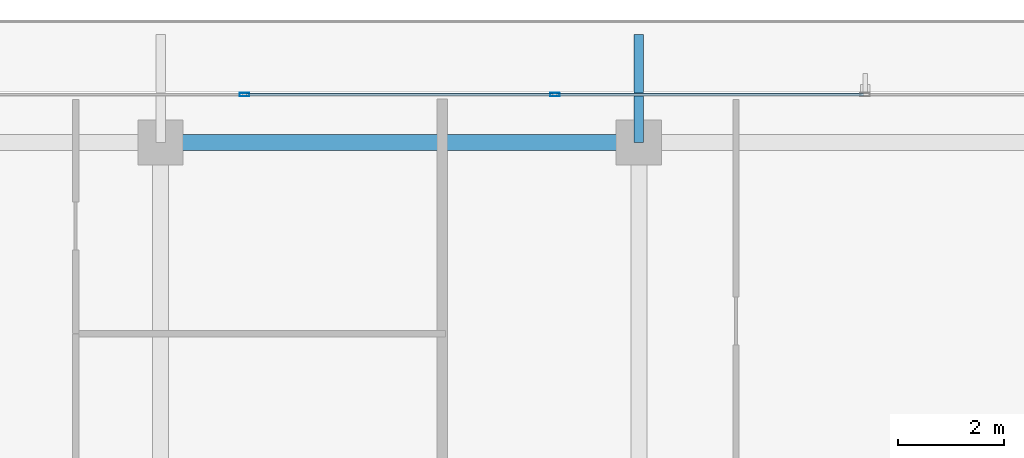
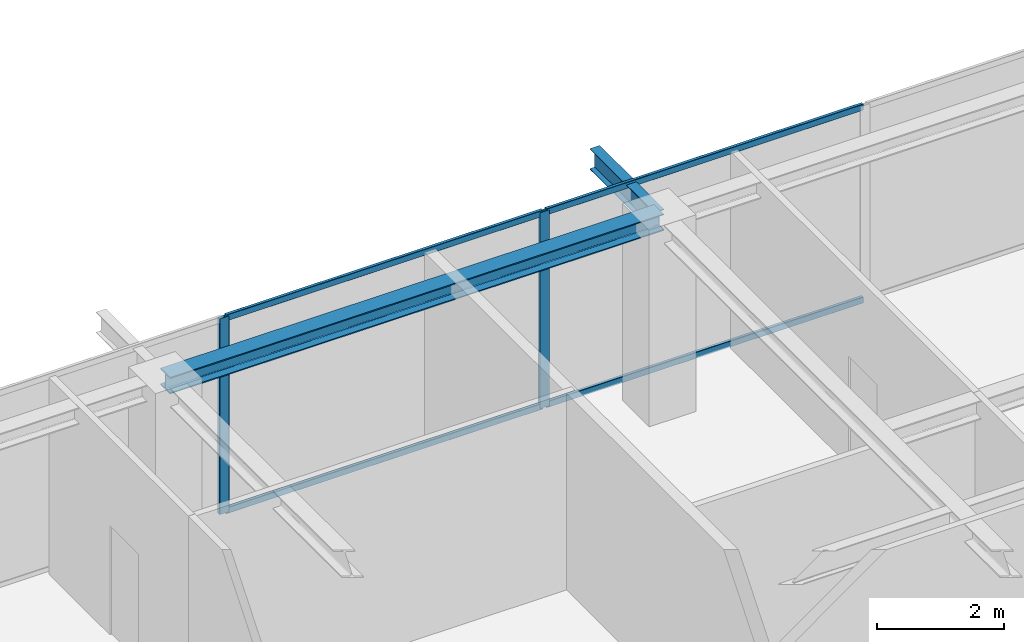
# One storey, part 20 of 36: 6 members, 2 beams, 1 element without a shape of its own.
"""IFC4 building model written with IfcOpenShell, lengths in metres."""

from ifc_helpers import new_model, si_unit, direction, frame, origin, origin_2d, place, context, subcontext, project, spatial, hollow_rectangle, i_section, extrude, source, transform, mapped, material, layer, layer_set, material_profile, profile_set, type_object, element, aggregate, save


model = new_model("IFC4")

# Units and contexts
model_context = context("Model", 3, precision=1e-05, world=origin(), true_north=direction((0.0, 1.0)))
body_context = subcontext(model_context, "Body", "Model", "MODEL_VIEW")
ifc_project = project(units=[si_unit("LENGTHUNIT", "METRE"), si_unit("AREAUNIT", "SQUARE_METRE"), si_unit("VOLUMEUNIT", "CUBIC_METRE"), si_unit("PLANEANGLEUNIT", "RADIAN"), si_unit("MASSUNIT", "GRAM", prefix="KILO")], contexts=[model_context])

# Site, building, storey
site_placement = place(None, origin())
site = spatial("IfcSite", under=ifc_project, at=site_placement, CompositionType="ELEMENT")
building_placement = place(site_placement, origin())
building = spatial("IfcBuilding", under=site, at=building_placement, Name="Serunith Strait Residences", CompositionType="ELEMENT")
storey_placement = place(building_placement, frame((0.0, 0.0, 338.0)))
storey = spatial("IfcBuildingStorey", under=building, at=storey_placement, Name="L84", CompositionType="ELEMENT", Elevation=338.0)

# Beams
ifc_material_1 = material(Name="Steel S355J2", Category="steel")
ifc_material_profile_1 = material_profile(ifc_material_1, i_section(OverallWidth=0.300048828125, OverallDepth=0.320068359375, WebThickness=0.011474609375, FlangeThickness=0.0205078125, FilletRadius=0.027099609375, at=origin_2d()), Name="HEB 320")
ifc_profile_set_1 = profile_set([ifc_material_profile_1], Name="Steel S355J2")
beam_type_1 = type_object("IfcBeamType", Name="BM-HEB320", PredefinedType="BEAM", material=ifc_profile_set_1)
shared_shape_1 = source(origin(), body_context, "Body", "SweptSolid", [
    extrude(i_section(OverallWidth=0.300048828125, OverallDepth=0.320068359375, WebThickness=0.011474609375, FlangeThickness=0.0205078125, FilletRadius=0.027099609375, at=origin_2d()), origin(), (0.0, 0.0, 1.0), 9.0),
])
beam_1_placement = place(storey_placement, frame((36.89990234375, 45.5, 3.626953125), z_axis=(-1.0, 0.0, 0.0), x_axis=(0.0, -1.0, 0.0)))
element("IfcBeam", 1, at=beam_1_placement, inside=storey, type_object=beam_type_1, Name="L84 Perimeter Ring Beam 10", PredefinedType="BEAM", context=body_context, shape_type="MappedRepresentation", body=[
    mapped(shared_shape_1, transform((0.0, 0.0, 0.0), scale=1.0)),
])
ifc_material_profile_2 = material_profile(ifc_material_1, i_section(OverallWidth=0.179931640625, OverallDepth=0.39990234375, WebThickness=0.008544921875, FlangeThickness=0.013427734375, FilletRadius=0.02099609375, at=origin_2d()), Name="IPE 400")
ifc_profile_set_2 = profile_set([ifc_material_profile_2], Name="Steel S355J2")
beam_type_2 = type_object("IfcBeamType", Name="BM-IPE400", PredefinedType="JOIST", material=ifc_profile_set_2)
shared_shape_2 = source(origin(), body_context, "Body", "SweptSolid", [
    extrude(i_section(OverallWidth=0.179931640625, OverallDepth=0.39990234375, WebThickness=0.008544921875, FlangeThickness=0.013427734375, FilletRadius=0.02099609375, at=origin_2d()), origin(), (0.0, 0.0, 1.0), 2.030029296875),
])
beam_2_placement = place(storey_placement, frame((36.89990234375, 45.5, 3.556884765625), z_axis=(0.0, 1.0, 0.0), x_axis=(-1.0, 0.0, 0.0)))
element("IfcBeam", 2, at=beam_2_placement, inside=storey, type_object=beam_type_2, Name="L85 Cantilevered Balcony Rib TC-N3", PredefinedType="JOIST", context=body_context, shape_type="MappedRepresentation", body=[
    mapped(shared_shape_2, transform((0.0, 0.0, 0.0), scale=1.0)),
])

# Curtain wall, members
ifc_material_2 = material(Name="Brushed Stainless-Silver Aluminium", Category="aluminium")
ifc_layer = layer(ifc_material_2, 0.199951171875, Name="Brushed Stainless-Silver Aluminium")
ifc_layer_set = layer_set([ifc_layer], Name="Brushed Stainless-Silver Aluminium")
curtain_wall_type = type_object("IfcCurtainWallType", Name="CW-SYS5", PredefinedType="NOTDEFINED", material=ifc_layer_set)
curtain_wall_placement = place(storey_placement, origin())
curtain_wall = element("IfcCurtainWall", 3, at=curtain_wall_placement, inside=storey, type_object=curtain_wall_type, Name="L84 N Unitised Fritted Curtain Wall", PredefinedType="NOTDEFINED")
ifc_material_profile_3 = material_profile(ifc_material_2, hollow_rectangle(XDim=0.06494140625, YDim=0.179931640625, WallThickness=0.00341796875, InnerFilletRadius=0.00537109375, OuterFilletRadius=0.0087890625, at=origin_2d()), Name="ALU 180x65x3.5")
ifc_profile_set_3 = profile_set([ifc_material_profile_3], Name="Brushed Stainless-Silver Aluminium")
member_type_1 = type_object("IfcMemberType", Name="CW-SYS5-MULL", PredefinedType="MULLION", material=ifc_profile_set_3)
shared_shape_3 = source(origin(), body_context, "Body", "SweptSolid", [
    extrude(hollow_rectangle(XDim=0.06494140625, YDim=0.179931640625, WallThickness=0.00341796875, InnerFilletRadius=0.00537109375, OuterFilletRadius=0.0087890625, at=origin_2d()), origin(), (0.0, 0.0, 1.0), 3.77490234375),
])
member_1_placement = place(storey_placement, frame((35.320068359375, 46.39990234375, 0.0), z_axis=(0.0, 0.0, 1.0), x_axis=(0.0, -1.0, 0.0)))
member_1 = element("IfcMember", 4, at=member_1_placement, type_object=member_type_1, Name="CW-5 mullion 3", PredefinedType="MULLION", context=body_context, shape_type="MappedRepresentation", body=[
    mapped(shared_shape_3, transform((0.0, 0.0, 0.0), scale=1.0)),
])
member_2_placement = place(storey_placement, frame((29.47998046875, 46.39990234375, 0.0), z_axis=(0.0, 0.0, 1.0), x_axis=(0.0, -1.0, 0.0)))
member_2 = element("IfcMember", 5, at=member_2_placement, type_object=member_type_1, Name="CW-5 mullion 4", PredefinedType="MULLION", context=body_context, shape_type="MappedRepresentation", body=[
    mapped(shared_shape_3, transform((0.0, 0.0, 0.0), scale=1.0)),
])
ifc_material_profile_4 = material_profile(ifc_material_2, hollow_rectangle(XDim=0.06005859375, YDim=0.1201171875, WallThickness=0.00341796875, InnerFilletRadius=0.00537109375, OuterFilletRadius=0.0087890625, at=origin_2d()), Name="ALU 120x60x3.5")
ifc_profile_set_4 = profile_set([ifc_material_profile_4], Name="Brushed Stainless-Silver Aluminium")
member_type_2 = type_object("IfcMemberType", Name="CW-SYS5-TRAN", PredefinedType="USERDEFINED", material=ifc_profile_set_4)
shared_shape_4 = source(origin(), body_context, "Body", "SweptSolid", [
    extrude(hollow_rectangle(XDim=0.06005859375, YDim=0.1201171875, WallThickness=0.00341796875, InnerFilletRadius=0.00537109375, OuterFilletRadius=0.0087890625, at=origin_2d()), origin(), (0.0, 0.0, 1.0), 5.77490234375),
])
member_3_placement = place(storey_placement, frame((41.12744140625, 46.39990234375, 0.030029296875), z_axis=(-1.0, 0.0, 0.0), x_axis=(0.0, -1.0, 0.0)))
member_3 = element("IfcMember", 6, at=member_3_placement, type_object=member_type_2, Name="CW-5 transom 2.1", ObjectType="TRANSOM", PredefinedType="USERDEFINED", context=body_context, shape_type="MappedRepresentation", body=[
    mapped(shared_shape_4, transform((0.0, 0.0, 0.0), scale=1.0)),
])
member_4_placement = place(storey_placement, frame((41.12744140625, 46.39990234375, 3.7451171875), z_axis=(-1.0, 0.0, 0.0), x_axis=(0.0, -1.0, 0.0)))
member_4 = element("IfcMember", 7, at=member_4_placement, type_object=member_type_2, Name="CW-5 transom 2.2", ObjectType="TRANSOM", PredefinedType="USERDEFINED", context=body_context, shape_type="MappedRepresentation", body=[
    mapped(shared_shape_4, transform((0.0, 0.0, 0.0), scale=1.0)),
])
shared_shape_5 = source(origin(), body_context, "Body", "SweptSolid", [
    extrude(hollow_rectangle(XDim=0.06005859375, YDim=0.1201171875, WallThickness=0.00341796875, InnerFilletRadius=0.00537109375, OuterFilletRadius=0.0087890625, at=origin_2d()), origin(), (0.0, 0.0, 1.0), 5.775146484375),
])
member_5_placement = place(storey_placement, frame((35.28759765625, 46.39990234375, 0.030029296875), z_axis=(-1.0, 0.0, 0.0), x_axis=(0.0, -1.0, 0.0)))
member_5 = element("IfcMember", 8, at=member_5_placement, type_object=member_type_2, Name="CW-5 transom 3.1", ObjectType="TRANSOM", PredefinedType="USERDEFINED", context=body_context, shape_type="MappedRepresentation", body=[
    mapped(shared_shape_5, transform((0.0, 0.0, 0.0), scale=1.0)),
])
member_6_placement = place(storey_placement, frame((35.28759765625, 46.39990234375, 3.7451171875), z_axis=(-1.0, 0.0, 0.0), x_axis=(0.0, -1.0, 0.0)))
member_6 = element("IfcMember", 9, at=member_6_placement, type_object=member_type_2, Name="CW-5 transom 3.2", ObjectType="TRANSOM", PredefinedType="USERDEFINED", context=body_context, shape_type="MappedRepresentation", body=[
    mapped(shared_shape_5, transform((0.0, 0.0, 0.0), scale=1.0)),
])
aggregate(curtain_wall, [member_1, member_2, member_3, member_4, member_5, member_6])

save(model, "model.ifc")
